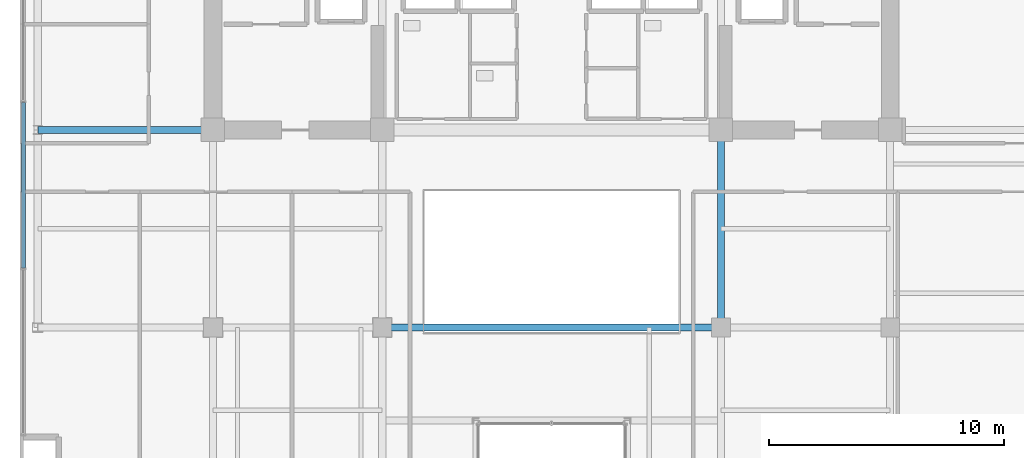
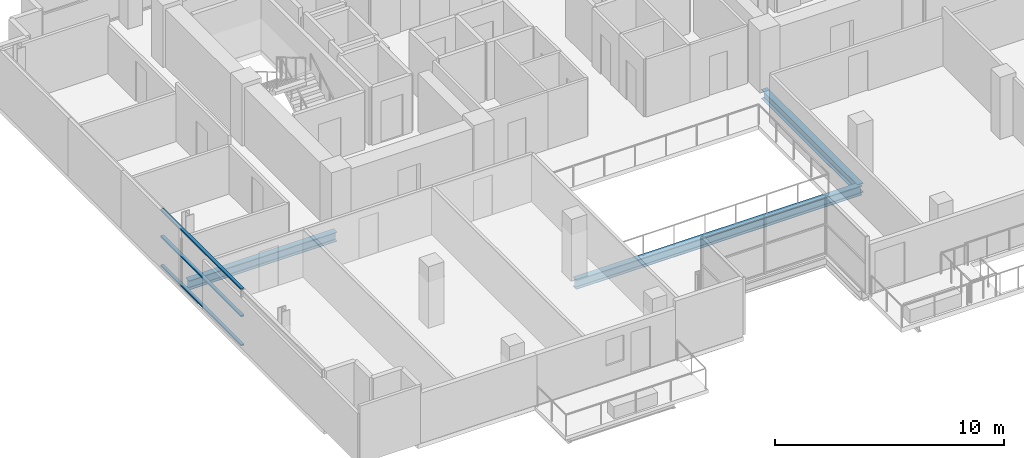
# One storey, part 7 of 23: 3 beams, 3 members, 1 element without a shape of its own.
"""IFC4 building model written with IfcOpenShell, lengths in metres."""

from ifc_helpers import new_model, si_unit, direction, frame, origin, origin_2d, place, context, subcontext, project, spatial, hollow_rectangle, i_section, extrude, source, transform, mapped, material, layer, layer_set, material_profile, profile_set, type_object, element, aggregate, save


model = new_model("IFC4")

# Units and contexts
model_context = context("Model", 3, precision=1e-05, world=origin(), true_north=direction((0.0, 1.0)))
body_context = subcontext(model_context, "Body", "Model", "MODEL_VIEW")
ifc_project = project(units=[si_unit("LENGTHUNIT", "METRE"), si_unit("AREAUNIT", "SQUARE_METRE"), si_unit("VOLUMEUNIT", "CUBIC_METRE"), si_unit("PLANEANGLEUNIT", "RADIAN"), si_unit("MASSUNIT", "GRAM", prefix="KILO")], contexts=[model_context])

# Site, building, storey
site_placement = place(None, origin())
site = spatial("IfcSite", under=ifc_project, at=site_placement, CompositionType="ELEMENT")
building_placement = place(site_placement, origin())
building = spatial("IfcBuilding", under=site, at=building_placement, Name="Zarnakvel Exchange Tower", CompositionType="ELEMENT")
storey_placement = place(building_placement, frame((0.0, 0.0, 175.89990234375)))
storey = spatial("IfcBuildingStorey", under=building, at=storey_placement, Name="L49", CompositionType="ELEMENT", Elevation=175.89990234375)

# Beams
ifc_material_1 = material(Name="Steel S355", Category="steel")
ifc_material_profile_1 = material_profile(ifc_material_1, i_section(OverallWidth=0.300048828125, OverallDepth=0.5, WebThickness=0.014404296875, FlangeThickness=0.028076171875, FilletRadius=0.027099609375, at=origin_2d()))
ifc_profile_set_1 = profile_set([ifc_material_profile_1], Name="Steel S355")
beam_type = type_object("IfcBeamType", Name="G-06", PredefinedType="BEAM", material=ifc_profile_set_1)
beam_1_placement = place(storey_placement, frame((-7.199951171875, -9.60009765625, -0.474853515625), z_axis=(1.0, 0.0, 0.0), x_axis=(0.0, 1.0, 0.0)))
element("IfcBeam", 1, at=beam_1_placement, inside=storey, type_object=beam_type, Name="L49 Tower E-W Frame Beam", PredefinedType="BEAM", context=body_context, shape_type="SweptSolid", body=[
    extrude(i_section(OverallWidth=0.300048828125, OverallDepth=0.5, WebThickness=0.014404296875, FlangeThickness=0.028076171875, FilletRadius=0.027099609375, at=origin_2d()), origin(), (0.0, 0.0, 1.0), 14.39990234375),
])
beam_2_placement = place(storey_placement, frame((-21.85009765625, -1.199951171875, -0.474853515625), z_axis=(1.0, 0.0, 0.0), x_axis=(0.0, 1.0, 0.0)))
element("IfcBeam", 2, at=beam_2_placement, inside=storey, type_object=beam_type, Name="L49 Tower E-W Frame Beam", PredefinedType="BEAM", context=body_context, shape_type="SweptSolid", body=[
    extrude(i_section(OverallWidth=0.300048828125, OverallDepth=0.5, WebThickness=0.014404296875, FlangeThickness=0.028076171875, FilletRadius=0.027099609375, at=origin_2d()), origin(), (0.0, 0.0, 1.0), 7.4501953125),
])
beam_3_placement = place(storey_placement, frame((7.199951171875, -9.60009765625, -0.474853515625), z_axis=(0.0, 1.0, 0.0), x_axis=(-1.0, 0.0, 0.0)))
element("IfcBeam", 3, at=beam_3_placement, inside=storey, type_object=beam_type, Name="L49 Tower N-S Frame Beam", PredefinedType="BEAM", context=body_context, shape_type="SweptSolid", body=[
    extrude(i_section(OverallWidth=0.300048828125, OverallDepth=0.5, WebThickness=0.014404296875, FlangeThickness=0.028076171875, FilletRadius=0.027099609375, at=origin_2d()), origin(), (0.0, 0.0, 1.0), 8.400146484375),
])

# Curtain wall, members
ifc_material_2 = material(Name="Architectural Bronze Anodised Aluminium", Category="aluminium")
ifc_layer = layer(ifc_material_2, 0.199951171875)
ifc_layer_set = layer_set([ifc_layer], Name="Architectural Bronze Anodised Aluminium")
curtain_wall_type = type_object("IfcCurtainWallType", Name="CW-04", PredefinedType="NOTDEFINED", material=ifc_layer_set)
curtain_wall_placement = place(storey_placement, origin())
curtain_wall = element("IfcCurtainWall", 4, at=curtain_wall_placement, inside=storey, type_object=curtain_wall_type, Name="L49 Curtain Wall CW-L49-W1 (CW-04)", PredefinedType="NOTDEFINED")
ifc_material_profile_2 = material_profile(ifc_material_2, hollow_rectangle(XDim=0.159912109375, YDim=0.074951171875, WallThickness=0.00390625, at=origin_2d()))
ifc_profile_set_2 = profile_set([ifc_material_profile_2], Name="Architectural Bronze Anodised Aluminium")
member_type = type_object("IfcMemberType", Name="CWT-04", PredefinedType="USERDEFINED", material=ifc_profile_set_2)
shared_shape = source(origin(), body_context, "Body", "SweptSolid", [
    extrude(hollow_rectangle(XDim=0.159912109375, YDim=0.074951171875, WallThickness=0.00390625, at=origin_2d()), origin(), (0.0, 0.0, 1.0), 7.02490234375),
])
member_1_placement = place(storey_placement, frame((-22.4599609375, -7.0625, 0.03759765625), z_axis=(0.0, 1.0, 0.0), x_axis=(-1.0, 0.0, 0.0)))
member_1 = element("IfcMember", 5, at=member_1_placement, type_object=member_type, Name="CW-04 transom 2.1", ObjectType="TRANSOM", PredefinedType="USERDEFINED", context=body_context, shape_type="MappedRepresentation", body=[
    mapped(shared_shape, transform((0.0, 0.0, 0.0), x_axis=(1.0, 0.0, 0.0), y_axis=(0.0, 1.0, 0.0), z_axis=(0.0, 0.0, 1.0), scale=1.0)),
])
member_2_placement = place(storey_placement, frame((-22.4599609375, -7.0625, 1.588623046875), z_axis=(0.0, 1.0, 0.0), x_axis=(-1.0, 0.0, 0.0)))
member_2 = element("IfcMember", 6, at=member_2_placement, type_object=member_type, Name="CW-04 transom 2.2", ObjectType="TRANSOM", PredefinedType="USERDEFINED", context=body_context, shape_type="MappedRepresentation", body=[
    mapped(shared_shape, transform((0.0, 0.0, 0.0), x_axis=(1.0, 0.0, 0.0), y_axis=(0.0, 1.0, 0.0), z_axis=(0.0, 0.0, 1.0), scale=1.0)),
])
member_3_placement = place(storey_placement, frame((-22.4599609375, -7.0625, 3.017578125), z_axis=(0.0, 1.0, 0.0), x_axis=(-1.0, 0.0, 0.0)))
member_3 = element("IfcMember", 7, at=member_3_placement, type_object=member_type, Name="CW-04 transom 2.3", ObjectType="TRANSOM", PredefinedType="USERDEFINED", context=body_context, shape_type="MappedRepresentation", body=[
    mapped(shared_shape, transform((0.0, 0.0, 0.0), x_axis=(1.0, 0.0, 0.0), y_axis=(0.0, 1.0, 0.0), z_axis=(0.0, 0.0, 1.0), scale=1.0)),
])
aggregate(curtain_wall, [member_1, member_2, member_3])

save(model, "model.ifc")
